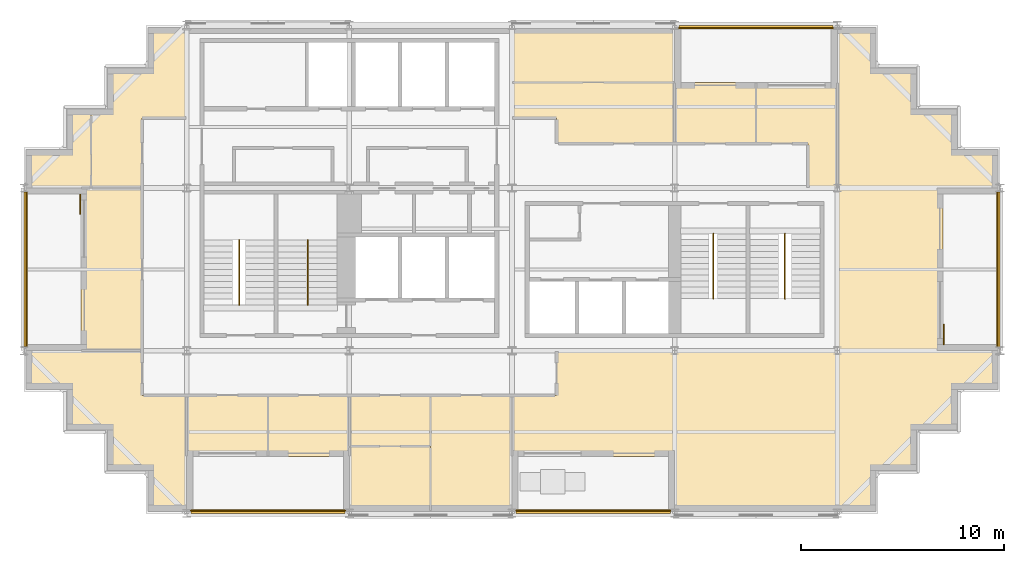
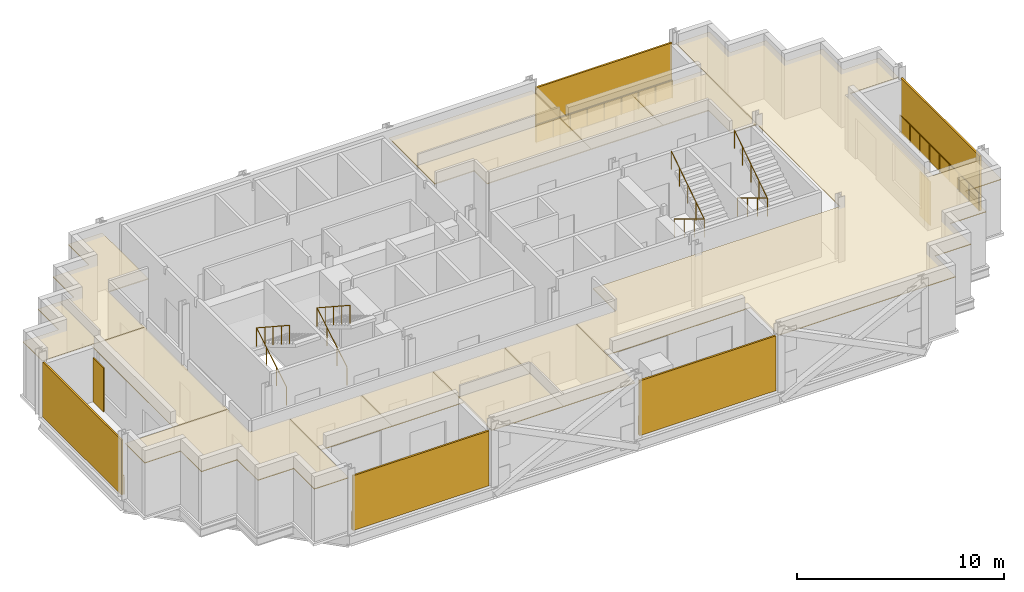
# One storey, part 9 of 10: 14 coverings, 9 railings, 7 shading devices.
"""IFC4 building model written with IfcOpenShell, lengths in metres."""

from ifc_helpers import new_model, si_unit, direction, frame, origin, origin_2d, place, context, subcontext, project, spatial, polyline, rectangle, circle, outline, extrude, material, layer, layer_set, type_object, element, save


model = new_model("IFC4")

# Units and contexts
model_context = context("Model", 3, precision=1e-05, world=origin(), true_north=direction((0.0, 1.0)))
body_context = subcontext(model_context, "Body", "Model", "MODEL_VIEW")
ifc_project = project(units=[si_unit("LENGTHUNIT", "METRE"), si_unit("AREAUNIT", "SQUARE_METRE"), si_unit("VOLUMEUNIT", "CUBIC_METRE"), si_unit("PLANEANGLEUNIT", "RADIAN"), si_unit("MASSUNIT", "GRAM", prefix="KILO")], contexts=[model_context])

# Site, building, storey
site_placement = place(None, origin())
site = spatial("IfcSite", under=ifc_project, at=site_placement, CompositionType="ELEMENT")
building_placement = place(site_placement, origin())
building = spatial("IfcBuilding", under=site, at=building_placement, Name="Immortelle Media Tower", CompositionType="ELEMENT")
storey_placement = place(building_placement, frame((0.0, 0.0, 213.0)))
storey = spatial("IfcBuildingStorey", under=building, at=storey_placement, Name="L45", CompositionType="ELEMENT", Elevation=213.0)

# Railings
ifc_material_1 = material(Name="Powder-coated aluminium fretwork panel, laminated glass backing", Category="aluminium")
railing_type_1 = type_object("IfcRailingType", Name="Fretwork balustrade 1100", PredefinedType="BALUSTRADE", material=ifc_material_1)
railing_1_placement = place(storey_placement, frame((8.200439453125, 0.139892578125, 0.0)))
element("IfcRailing", 1, at=railing_1_placement, inside=storey, type_object=railing_type_1, Name="Fretwork balustrade L45 S0", PredefinedType="BALUSTRADE", context=body_context, shape_type="SweptSolid", body=[
    extrude(circle(Radius=0.02490234375, at=origin_2d()), frame((0.0, 0.0, 1.0751953125), z_axis=(1.0, 0.0, 0.0), x_axis=(0.0, 1.0, 0.0)), (0.0, 0.0, 1.0), 7.593994140625),
    extrude(circle(Radius=0.02001953125, at=origin_2d()), origin(), (0.0, 0.0, 1.0), 1.050048828125),
    extrude(circle(Radius=0.02001953125, at=origin_2d()), frame((0.94921875, 0.0, 0.0)), (0.0, 0.0, 1.0), 1.050048828125),
    extrude(circle(Radius=0.02001953125, at=origin_2d()), frame((1.8984375, 0.0, 0.0)), (0.0, 0.0, 1.0), 1.050048828125),
    extrude(circle(Radius=0.02001953125, at=origin_2d()), frame((2.84765625, 0.0, 0.0)), (0.0, 0.0, 1.0), 1.050048828125),
    extrude(circle(Radius=0.02001953125, at=origin_2d()), frame((3.796875, 0.0, 0.0)), (0.0, 0.0, 1.0), 1.050048828125),
    extrude(circle(Radius=0.02001953125, at=origin_2d()), frame((4.746337890625, 0.0, 0.0)), (0.0, 0.0, 1.0), 1.050048828125),
    extrude(circle(Radius=0.02001953125, at=origin_2d()), frame((5.695556640625, 0.0, 0.0)), (0.0, 0.0, 1.0), 1.050048828125),
    extrude(circle(Radius=0.02001953125, at=origin_2d()), frame((6.644775390625, 0.0, 0.0)), (0.0, 0.0, 1.0), 1.050048828125),
    extrude(circle(Radius=0.02001953125, at=origin_2d()), frame((7.593994140625, 0.0, 0.0)), (0.0, 0.0, 1.0), 1.050048828125),
])
railing_2_placement = place(storey_placement, frame((24.202880859375, 0.139892578125, 0.0)))
element("IfcRailing", 2, at=railing_2_placement, inside=storey, type_object=railing_type_1, Name="Fretwork balustrade L45 S2", PredefinedType="BALUSTRADE", context=body_context, shape_type="SweptSolid", body=[
    extrude(circle(Radius=0.02490234375, at=origin_2d()), frame((0.0, 0.0, 1.0751953125), z_axis=(1.0, 0.0, 0.0), x_axis=(0.0, 1.0, 0.0)), (0.0, 0.0, 1.0), 7.59423828125),
    extrude(circle(Radius=0.02001953125, at=origin_2d()), origin(), (0.0, 0.0, 1.0), 1.050048828125),
    extrude(circle(Radius=0.02001953125, at=origin_2d()), frame((0.94921875, 0.0, 0.0)), (0.0, 0.0, 1.0), 1.050048828125),
    extrude(circle(Radius=0.02001953125, at=origin_2d()), frame((1.8984375, 0.0, 0.0)), (0.0, 0.0, 1.0), 1.050048828125),
    extrude(circle(Radius=0.02001953125, at=origin_2d()), frame((2.847900390625, 0.0, 0.0)), (0.0, 0.0, 1.0), 1.050048828125),
    extrude(circle(Radius=0.02001953125, at=origin_2d()), frame((3.797119140625, 0.0, 0.0)), (0.0, 0.0, 1.0), 1.050048828125),
    extrude(circle(Radius=0.02001953125, at=origin_2d()), frame((4.746337890625, 0.0, 0.0)), (0.0, 0.0, 1.0), 1.050048828125),
    extrude(circle(Radius=0.02001953125, at=origin_2d()), frame((5.69580078125, 0.0, 0.0)), (0.0, 0.0, 1.0), 1.050048828125),
    extrude(circle(Radius=0.02001953125, at=origin_2d()), frame((6.64501953125, 0.0, 0.0)), (0.0, 0.0, 1.0), 1.050048828125),
    extrude(circle(Radius=0.02001953125, at=origin_2d()), frame((7.59423828125, 0.0, 0.0)), (0.0, 0.0, 1.0), 1.050048828125),
])
railing_3_placement = place(storey_placement, frame((47.860107421875, 8.193115234375, 0.0)))
element("IfcRailing", 3, at=railing_3_placement, inside=storey, type_object=railing_type_1, Name="Fretwork balustrade L45 E0", PredefinedType="BALUSTRADE", context=body_context, shape_type="SweptSolid", body=[
    extrude(circle(Radius=0.02490234375, at=origin_2d()), frame((0.0, 0.0, 1.0751953125), z_axis=(0.0, 1.0, 0.0), x_axis=(-1.0, 0.0, 0.0)), (0.0, 0.0, 1.0), 7.61376953125),
    extrude(circle(Radius=0.02001953125, at=origin_2d()), origin(), (0.0, 0.0, 1.0), 1.050048828125),
    extrude(circle(Radius=0.02001953125, at=origin_2d()), frame((0.0, 0.95166015625, 0.0)), (0.0, 0.0, 1.0), 1.050048828125),
    extrude(circle(Radius=0.02001953125, at=origin_2d()), frame((0.0, 1.9033203125, 0.0)), (0.0, 0.0, 1.0), 1.050048828125),
    extrude(circle(Radius=0.02001953125, at=origin_2d()), frame((0.0, 2.855224609375, 0.0)), (0.0, 0.0, 1.0), 1.050048828125),
    extrude(circle(Radius=0.02001953125, at=origin_2d()), frame((0.0, 3.806884765625, 0.0)), (0.0, 0.0, 1.0), 1.050048828125),
    extrude(circle(Radius=0.02001953125, at=origin_2d()), frame((0.0, 4.758544921875, 0.0)), (0.0, 0.0, 1.0), 1.050048828125),
    extrude(circle(Radius=0.02001953125, at=origin_2d()), frame((0.0, 5.71044921875, 0.0)), (0.0, 0.0, 1.0), 1.050048828125),
    extrude(circle(Radius=0.02001953125, at=origin_2d()), frame((0.0, 6.662109375, 0.0)), (0.0, 0.0, 1.0), 1.050048828125),
    extrude(circle(Radius=0.02001953125, at=origin_2d()), frame((0.0, 7.61376953125, 0.0)), (0.0, 0.0, 1.0), 1.050048828125),
])
railing_4_placement = place(storey_placement, frame((39.800537109375, 23.860107421875, 0.0)))
element("IfcRailing", 4, at=railing_4_placement, inside=storey, type_object=railing_type_1, Name="Fretwork balustrade L45 N0", PredefinedType="BALUSTRADE", context=body_context, shape_type="SweptSolid", body=[
    extrude(circle(Radius=0.02490234375, at=origin_2d()), frame((0.0, 0.0, 1.0751953125), z_axis=(-1.0, 0.0, 0.0), x_axis=(0.0, -1.0, 0.0)), (0.0, 0.0, 1.0), 7.59765625),
    extrude(circle(Radius=0.02001953125, at=origin_2d()), origin(), (0.0, 0.0, 1.0), 1.050048828125),
    extrude(circle(Radius=0.02001953125, at=origin_2d()), frame((-0.94970703125, 0.0, 0.0)), (0.0, 0.0, 1.0), 1.050048828125),
    extrude(circle(Radius=0.02001953125, at=origin_2d()), frame((-1.8994140625, 0.0, 0.0)), (0.0, 0.0, 1.0), 1.050048828125),
    extrude(circle(Radius=0.02001953125, at=origin_2d()), frame((-2.84912109375, 0.0, 0.0)), (0.0, 0.0, 1.0), 1.050048828125),
    extrude(circle(Radius=0.02001953125, at=origin_2d()), frame((-3.798828125, 0.0, 0.0)), (0.0, 0.0, 1.0), 1.050048828125),
    extrude(circle(Radius=0.02001953125, at=origin_2d()), frame((-4.74853515625, 0.0, 0.0)), (0.0, 0.0, 1.0), 1.050048828125),
    extrude(circle(Radius=0.02001953125, at=origin_2d()), frame((-5.6982421875, 0.0, 0.0)), (0.0, 0.0, 1.0), 1.050048828125),
    extrude(circle(Radius=0.02001953125, at=origin_2d()), frame((-6.64794921875, 0.0, 0.0)), (0.0, 0.0, 1.0), 1.050048828125),
    extrude(circle(Radius=0.02001953125, at=origin_2d()), frame((-7.59765625, 0.0, 0.0)), (0.0, 0.0, 1.0), 1.050048828125),
])
railing_5_placement = place(storey_placement, frame((0.139892578125, 15.800537109375, 0.0)))
element("IfcRailing", 5, at=railing_5_placement, inside=storey, type_object=railing_type_1, Name="Fretwork balustrade L45 W0", PredefinedType="BALUSTRADE", context=body_context, shape_type="SweptSolid", body=[
    extrude(circle(Radius=0.02490234375, at=origin_2d()), frame((0.0, 0.0, 1.0751953125), z_axis=(0.0, -1.0, 0.0), x_axis=(1.0, 0.0, 0.0)), (0.0, 0.0, 1.0), 7.60107421875),
    extrude(circle(Radius=0.02001953125, at=origin_2d()), origin(), (0.0, 0.0, 1.0), 1.050048828125),
    extrude(circle(Radius=0.02001953125, at=origin_2d()), frame((0.0, -0.9501953125, 0.0)), (0.0, 0.0, 1.0), 1.050048828125),
    extrude(circle(Radius=0.02001953125, at=origin_2d()), frame((0.0, -1.900390625, 0.0)), (0.0, 0.0, 1.0), 1.050048828125),
    extrude(circle(Radius=0.02001953125, at=origin_2d()), frame((0.0, -2.850341796875, 0.0)), (0.0, 0.0, 1.0), 1.050048828125),
    extrude(circle(Radius=0.02001953125, at=origin_2d()), frame((0.0, -3.800537109375, 0.0)), (0.0, 0.0, 1.0), 1.050048828125),
    extrude(circle(Radius=0.02001953125, at=origin_2d()), frame((0.0, -4.750732421875, 0.0)), (0.0, 0.0, 1.0), 1.050048828125),
    extrude(circle(Radius=0.02001953125, at=origin_2d()), frame((0.0, -5.70068359375, 0.0)), (0.0, 0.0, 1.0), 1.050048828125),
    extrude(circle(Radius=0.02001953125, at=origin_2d()), frame((0.0, -6.65087890625, 0.0)), (0.0, 0.0, 1.0), 1.050048828125),
    extrude(circle(Radius=0.02001953125, at=origin_2d()), frame((0.0, -7.60107421875, 0.0)), (0.0, 0.0, 1.0), 1.050048828125),
])

# Shading devices
ifc_material_2 = material(Name="Pale aluminium louvre blades", Category="aluminium")
ifc_layer_1 = layer(ifc_material_2, 0.10009765625)
ifc_layer_set_1 = layer_set([ifc_layer_1], Name="Pale aluminium louvre blades")
shading_device_type_1 = type_object("IfcShadingDeviceType", Name="Jalousie screen 100", PredefinedType="JALOUSIE", material=ifc_layer_set_1)
for number, where, z_axis, x_axis, name in (
    (6, (11.99755859375, 0.050048828125, 0.0), (0.0, 0.0, 1.0), (1.0, 0.0, 0.0), "Jalousie screen L45 S0"),
    (7, (28.0, 0.050048828125, 0.0), (0.0, 0.0, 1.0), (1.0, 0.0, 0.0), "Jalousie screen L45 S2"),
):
    element("IfcShadingDevice", number, at=place(storey_placement, frame(where, z_axis=z_axis, x_axis=x_axis)), inside=storey, type_object=shading_device_type_1, Name=name, PredefinedType="JALOUSIE", context=body_context, shape_type="SweptSolid", body=[
        extrude(rectangle(XDim=7.593994140625, YDim=0.10009765625, at=origin_2d()), origin(), (0.0, 0.0, 1.0), 3.238037109375),
    ])
shading_device_1_placement = place(storey_placement, frame((47.949951171875, 12.0, 0.0), z_axis=(0.0, 0.0, 1.0), x_axis=(0.0, 1.0, 0.0)))
element("IfcShadingDevice", 8, at=shading_device_1_placement, inside=storey, type_object=shading_device_type_1, Name="Jalousie screen L45 E0", PredefinedType="JALOUSIE", context=body_context, shape_type="SweptSolid", body=[
    extrude(rectangle(XDim=7.614013671875, YDim=0.10009765625, at=origin_2d()), origin(), (0.0, 0.0, 1.0), 3.238037109375),
])
shading_device_2_placement = place(storey_placement, frame((36.001708984375, 23.949951171875, 0.0), z_axis=(0.0, 0.0, 1.0), x_axis=(-1.0, 0.0, 0.0)))
element("IfcShadingDevice", 9, at=shading_device_2_placement, inside=storey, type_object=shading_device_type_1, Name="Jalousie screen L45 N0", PredefinedType="JALOUSIE", context=body_context, shape_type="SweptSolid", body=[
    extrude(rectangle(XDim=7.597412109375, YDim=0.10009765625, at=origin_2d()), origin(), (0.0, 0.0, 1.0), 3.238037109375),
])
shading_device_3_placement = place(storey_placement, frame((0.050048828125, 12.0, 0.0), z_axis=(0.0, 0.0, 1.0), x_axis=(0.0, -1.0, 0.0)))
element("IfcShadingDevice", 10, at=shading_device_3_placement, inside=storey, type_object=shading_device_type_1, Name="Jalousie screen L45 W0", PredefinedType="JALOUSIE", context=body_context, shape_type="SweptSolid", body=[
    extrude(rectangle(XDim=7.60107421875, YDim=0.10009765625, at=origin_2d()), origin(), (0.0, 0.0, 1.0), 3.238037109375),
])
ifc_material_3 = material(Name="Pale aluminium louvre blades in a folding frame", Category="aluminium")
ifc_layer_2 = layer(ifc_material_3, 0.050048828125)
ifc_layer_set_2 = layer_set([ifc_layer_2], Name="Pale aluminium louvre blades in a folding frame")
shading_device_type_2 = type_object("IfcShadingDeviceType", Name="Louvred loggia shutter", PredefinedType="SHUTTER", material=ifc_layer_set_2)
for number, where, z_axis, x_axis, name in (
    (11, (45.22509765625, 8.800048828125, 0.0), (0.0, 0.0, 1.0), (0.0, 1.0, 0.0), "Loggia shutter L45 E0"),
    (12, (2.77490234375, 15.199951171875, 0.0), (0.0, 0.0, 1.0), (0.0, -1.0, 0.0), "Loggia shutter L45 W0"),
):
    element("IfcShadingDevice", number, at=place(storey_placement, frame(where, z_axis=z_axis, x_axis=x_axis)), inside=storey, type_object=shading_device_type_2, Name=name, PredefinedType="SHUTTER", context=body_context, shape_type="SweptSolid", body=[
        extrude(rectangle(XDim=1.0, YDim=0.050048828125, at=origin_2d()), origin(), (0.0, 0.0, 1.0), 2.60009765625),
    ])

# Railings
ifc_material_4 = material(Name="Stainless steel AISI 316", Category="steel")
railing_type_2 = type_object("IfcRailingType", Name="Stair guard 1100", PredefinedType="GUARDRAIL", material=ifc_material_4)
for number, where, name in (
    (13, (10.574951171875, 10.5400390625, 0.173828125), "Stair guard SW1"),
    (14, (13.949951171875, 10.5400390625, 0.173828125), "Stair guard SW2"),
):
    element("IfcRailing", number, at=place(storey_placement, frame(where)), inside=storey, type_object=railing_type_2, Name=name, PredefinedType="GUARDRAIL", context=body_context, shape_type="SweptSolid", body=[
        extrude(circle(Radius=0.02392578125, at=origin_2d()), frame((0.0, 0.0, 1.076171875), z_axis=(0.0, 0.857582100076, 0.514347102285), x_axis=(-1.0, 0.0, 0.0)), (0.0, 0.0, 1.0), 3.381591796875),
        extrude(circle(Radius=0.02392578125, at=origin_2d()), frame((0.0, 2.89990234375, 2.8154296875), z_axis=(0.0, -0.836827423118, 0.547466769693), x_axis=(1.0, 0.0, 0.0)), (0.0, 0.0, 1.0), 3.81201171875),
        extrude(circle(Radius=0.02099609375, at=origin_2d()), origin(), (0.0, 0.0, 1.0), 1.052001953125),
        extrude(circle(Radius=0.02099609375, at=origin_2d()), frame((0.0, 0.966552734375, 0.579833984375)), (0.0, 0.0, 1.0), 1.052001953125),
        extrude(circle(Radius=0.02099609375, at=origin_2d()), frame((0.0, 1.933349609375, 1.159423828125)), (0.0, 0.0, 1.0), 1.052001953125),
        extrude(circle(Radius=0.02099609375, at=origin_2d()), frame((0.0, 2.89990234375, 1.7392578125)), (0.0, 0.0, 1.0), 1.052001953125),
        extrude(circle(Radius=0.02099609375, at=origin_2d()), frame((0.0, 2.1025390625, 2.260986328125)), (0.0, 0.0, 1.0), 1.052001953125),
        extrude(circle(Radius=0.02099609375, at=origin_2d()), frame((0.0, 1.304931640625, 2.78271484375)), (0.0, 0.0, 1.0), 1.052001953125),
        extrude(circle(Radius=0.02099609375, at=origin_2d()), frame((0.0, 0.50732421875, 3.304443359375)), (0.0, 0.0, 1.0), 1.052001953125),
        extrude(circle(Radius=0.02099609375, at=origin_2d()), frame((0.0, -0.2900390625, 3.826171875)), (0.0, 0.0, 1.0), 1.052001953125),
    ])
for number, where, name in (
    (15, (33.89990234375, 13.4599609375, 0.173828125), "Stair guard SE1"),
    (16, (37.425048828125, 13.4599609375, 0.173828125), "Stair guard SE2"),
):
    element("IfcRailing", number, at=place(storey_placement, frame(where)), inside=storey, type_object=railing_type_2, Name=name, PredefinedType="GUARDRAIL", context=body_context, shape_type="SweptSolid", body=[
        extrude(circle(Radius=0.02392578125, at=origin_2d()), frame((0.0, 0.0, 1.076171875), z_axis=(0.0, -0.857582100076, 0.514347102285), x_axis=(1.0, 0.0, 0.0)), (0.0, 0.0, 1.0), 3.381591796875),
        extrude(circle(Radius=0.02392578125, at=origin_2d()), frame((0.0, -2.89990234375, 2.8154296875), z_axis=(0.0, 0.836827423118, 0.547466769693), x_axis=(-1.0, 0.0, 0.0)), (0.0, 0.0, 1.0), 3.81201171875),
        extrude(circle(Radius=0.02099609375, at=origin_2d()), origin(), (0.0, 0.0, 1.0), 1.052001953125),
        extrude(circle(Radius=0.02099609375, at=origin_2d()), frame((0.0, -0.966552734375, 0.579833984375)), (0.0, 0.0, 1.0), 1.052001953125),
        extrude(circle(Radius=0.02099609375, at=origin_2d()), frame((0.0, -1.933349609375, 1.159423828125)), (0.0, 0.0, 1.0), 1.052001953125),
        extrude(circle(Radius=0.02099609375, at=origin_2d()), frame((0.0, -2.89990234375, 1.7392578125)), (0.0, 0.0, 1.0), 1.052001953125),
        extrude(circle(Radius=0.02099609375, at=origin_2d()), frame((0.0, -2.1025390625, 2.260986328125)), (0.0, 0.0, 1.0), 1.052001953125),
        extrude(circle(Radius=0.02099609375, at=origin_2d()), frame((0.0, -1.304931640625, 2.78271484375)), (0.0, 0.0, 1.0), 1.052001953125),
        extrude(circle(Radius=0.02099609375, at=origin_2d()), frame((0.0, -0.50732421875, 3.304443359375)), (0.0, 0.0, 1.0), 1.052001953125),
        extrude(circle(Radius=0.02099609375, at=origin_2d()), frame((0.0, 0.2900390625, 3.826171875)), (0.0, 0.0, 1.0), 1.052001953125),
    ])

# Coverings
ifc_material_5 = material(Name="Mineral fibre tile ceiling")
ifc_layer_3 = layer(ifc_material_5, 0.050048828125)
ifc_layer_set_3 = layer_set([ifc_layer_3], Name="Mineral fibre tile ceiling")
covering_type = type_object("IfcCoveringType", Name="Suspended ceiling 50", PredefinedType="CEILING", material=ifc_layer_set_3)
covering_1_placement = place(storey_placement, frame((0.0, 0.0, 3.10693359375)))
element("IfcCovering", 17, at=covering_1_placement, inside=storey, type_object=covering_type, Name="Ceiling L45-001", PredefinedType="CEILING", context=body_context, shape_type="SweptSolid", body=[
    extrude(outline(polyline([(16.0, 5.800048828125), (20.0, 5.800048828125), (20.0, 3.300048828125), (16.0, 3.300048828125), (16.0, 5.800048828125)])), origin(), (0.0, 0.0, 1.0), 0.050048828125),
])
covering_2_placement = place(storey_placement, frame((0.0, 0.0, 3.10693359375)))
element("IfcCovering", 18, at=covering_2_placement, inside=storey, type_object=covering_type, Name="Ceiling L45-002", PredefinedType="CEILING", context=body_context, shape_type="SweptSolid", body=[
    extrude(outline(polyline([(16.0, 3.300048828125), (20.0, 3.300048828125), (20.0, 0.10009765625), (16.0, 0.10009765625), (16.0, 2.800048828125), (16.0, 3.300048828125)])), origin(), (0.0, 0.0, 1.0), 0.050048828125),
])
covering_3_placement = place(storey_placement, frame((0.0, 0.0, 3.10693359375)))
element("IfcCovering", 19, at=covering_3_placement, inside=storey, type_object=covering_type, Name="Ceiling L45-003", PredefinedType="CEILING", context=body_context, shape_type="SweptSolid", body=[
    extrude(outline(polyline([(24.0, 5.800048828125), (24.0, 2.800048828125), (24.0, 0.10009765625), (20.0, 0.10009765625), (20.0, 5.800048828125), (24.0, 5.800048828125)])), origin(), (0.0, 0.0, 1.0), 0.050048828125),
])
covering_4_placement = place(storey_placement, frame((0.0, 0.0, 3.10693359375)))
element("IfcCovering", 20, at=covering_4_placement, inside=storey, type_object=covering_type, Name="Ceiling L45-004", PredefinedType="CEILING", context=body_context, shape_type="SweptSolid", body=[
    extrude(outline(polyline([(8.0, 5.800048828125), (12.0, 5.800048828125), (12.0, 2.800048828125), (8.0, 2.800048828125), (8.0, 5.800048828125)])), origin(), (0.0, 0.0, 1.0), 0.050048828125),
])
covering_5_placement = place(storey_placement, frame((0.0, 0.0, 3.10693359375)))
element("IfcCovering", 21, at=covering_5_placement, inside=storey, type_object=covering_type, Name="Ceiling L45-005", PredefinedType="CEILING", context=body_context, shape_type="SweptSolid", body=[
    extrude(outline(polyline([(16.0, 5.800048828125), (16.0, 2.800048828125), (12.0, 2.800048828125), (12.0, 5.800048828125), (16.0, 5.800048828125)])), origin(), (0.0, 0.0, 1.0), 0.050048828125),
])
covering_6_placement = place(storey_placement, frame((0.0, 0.0, 3.10693359375)))
element("IfcCovering", 22, at=covering_6_placement, inside=storey, type_object=covering_type, Name="Ceiling L45-006", PredefinedType="CEILING", context=body_context, shape_type="SweptSolid", body=[
    extrude(outline(polyline([(4.10009765625, 2.10009765625), (4.10009765625, 4.10009765625), (4.0, 4.10009765625), (2.10009765625, 4.10009765625), (2.10009765625, 6.10009765625), (0.10009765625, 6.10009765625), (0.10009765625, 8.0), (2.800048828125, 8.0), (4.0, 8.0), (5.800048828125, 8.0), (5.800048828125, 5.800048828125), (8.0, 5.800048828125), (8.0, 2.800048828125), (8.0, 0.10009765625), (6.10009765625, 0.10009765625), (6.10009765625, 2.10009765625), (4.10009765625, 2.10009765625)])), origin(), (0.0, 0.0, 1.0), 0.050048828125),
])
covering_7_placement = place(storey_placement, frame((0.0, 0.0, 3.10693359375)))
element("IfcCovering", 23, at=covering_7_placement, inside=storey, type_object=covering_type, Name="Ceiling L45-007", PredefinedType="CEILING", context=body_context, shape_type="SweptSolid", body=[
    extrude(outline(polyline([(26.199951171875, 5.800048828125), (26.199951171875, 8.0), (32.0, 8.0), (40.0, 8.0), (40.0, 16.0), (40.0, 21.199951171875), (40.0, 23.89990234375), (41.89990234375, 23.89990234375), (41.89990234375, 21.89990234375), (43.89990234375, 21.89990234375), (43.89990234375, 19.89990234375), (45.89990234375, 19.89990234375), (45.89990234375, 17.89990234375), (47.89990234375, 17.89990234375), (47.89990234375, 16.0), (45.199951171875, 16.0), (45.199951171875, 8.0), (47.89990234375, 8.0), (47.89990234375, 6.10009765625), (45.89990234375, 6.10009765625), (45.89990234375, 4.10009765625), (43.89990234375, 4.10009765625), (43.89990234375, 2.10009765625), (41.89990234375, 2.10009765625), (41.89990234375, 0.10009765625), (40.0, 0.10009765625), (32.0, 0.10009765625), (32.0, 2.800048828125), (24.0, 2.800048828125), (24.0, 5.800048828125), (26.199951171875, 5.800048828125)])), origin(), (0.0, 0.0, 1.0), 0.050048828125),
])
covering_8_placement = place(storey_placement, frame((0.0, 0.0, 3.10693359375)))
element("IfcCovering", 24, at=covering_8_placement, inside=storey, type_object=covering_type, Name="Ceiling L45-008", PredefinedType="CEILING", context=body_context, shape_type="SweptSolid", body=[
    extrude(outline(polyline([(5.800048828125, 8.0), (2.800048828125, 8.0), (2.800048828125, 16.0), (5.800048828125, 16.0), (5.800048828125, 8.0)])), origin(), (0.0, 0.0, 1.0), 0.050048828125),
])
covering_9_placement = place(storey_placement, frame((0.0, 0.0, 3.10693359375)))
element("IfcCovering", 25, at=covering_9_placement, inside=storey, type_object=covering_type, Name="Ceiling L45-009", PredefinedType="CEILING", context=body_context, shape_type="SweptSolid", body=[
    extrude(outline(polyline([(5.800048828125, 16.0), (3.300048828125, 16.0), (3.300048828125, 19.89990234375), (4.10009765625, 19.89990234375), (4.10009765625, 21.89990234375), (6.10009765625, 21.89990234375), (6.10009765625, 23.89990234375), (8.0, 23.89990234375), (8.0, 19.449951171875), (5.800048828125, 19.449951171875), (5.800048828125, 16.0)])), origin(), (0.0, 0.0, 1.0), 0.050048828125),
])
covering_10_placement = place(storey_placement, frame((0.0, 0.0, 3.10693359375)))
element("IfcCovering", 26, at=covering_10_placement, inside=storey, type_object=covering_type, Name="Ceiling L45-010", PredefinedType="CEILING", context=body_context, shape_type="SweptSolid", body=[
    extrude(outline(polyline([(2.800048828125, 16.0), (0.10009765625, 16.0), (0.10009765625, 17.89990234375), (2.10009765625, 17.89990234375), (2.10009765625, 19.89990234375), (3.300048828125, 19.89990234375), (3.300048828125, 16.0), (2.800048828125, 16.0)])), origin(), (0.0, 0.0, 1.0), 0.050048828125),
])
covering_11_placement = place(storey_placement, frame((0.0, 0.0, 3.10693359375)))
element("IfcCovering", 27, at=covering_11_placement, inside=storey, type_object=covering_type, Name="Ceiling L45-011", PredefinedType="CEILING", context=body_context, shape_type="SweptSolid", body=[
    extrude(outline(polyline([(32.0, 18.199951171875), (32.0, 21.199951171875), (36.0, 21.199951171875), (36.0, 18.199951171875), (32.0, 18.199951171875)])), origin(), (0.0, 0.0, 1.0), 0.050048828125),
])
covering_12_placement = place(storey_placement, frame((0.0, 0.0, 3.10693359375)))
element("IfcCovering", 28, at=covering_12_placement, inside=storey, type_object=covering_type, Name="Ceiling L45-012", PredefinedType="CEILING", context=body_context, shape_type="SweptSolid", body=[
    extrude(outline(polyline([(38.550048828125, 18.199951171875), (36.0, 18.199951171875), (36.0, 21.199951171875), (40.0, 21.199951171875), (40.0, 16.0), (38.550048828125, 16.0), (38.550048828125, 18.199951171875)])), origin(), (0.0, 0.0, 1.0), 0.050048828125),
])
covering_13_placement = place(storey_placement, frame((0.0, 0.0, 3.10693359375)))
element("IfcCovering", 29, at=covering_13_placement, inside=storey, type_object=covering_type, Name="Ceiling L45-013", PredefinedType="CEILING", context=body_context, shape_type="SweptSolid", body=[
    extrude(outline(polyline([(26.199951171875, 18.199951171875), (26.199951171875, 19.449951171875), (24.0, 19.449951171875), (24.0, 21.199951171875), (32.0, 21.199951171875), (32.0, 18.199951171875), (27.0, 18.199951171875), (26.199951171875, 18.199951171875)])), origin(), (0.0, 0.0, 1.0), 0.050048828125),
])
covering_14_placement = place(storey_placement, frame((0.0, 0.0, 3.10693359375)))
element("IfcCovering", 30, at=covering_14_placement, inside=storey, type_object=covering_type, Name="Ceiling L45-014", PredefinedType="CEILING", context=body_context, shape_type="SweptSolid", body=[
    extrude(outline(polyline([(24.0, 23.89990234375), (32.0, 23.89990234375), (32.0, 21.199951171875), (24.0, 21.199951171875), (24.0, 23.89990234375)])), origin(), (0.0, 0.0, 1.0), 0.050048828125),
])

save(model, "model.ifc")
